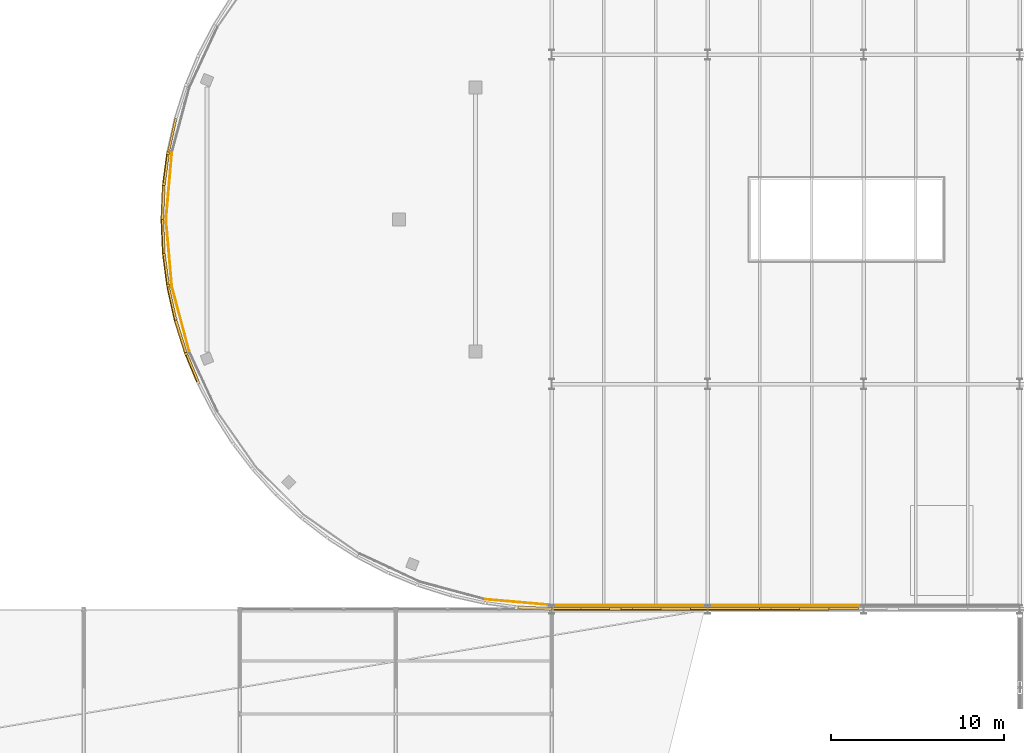
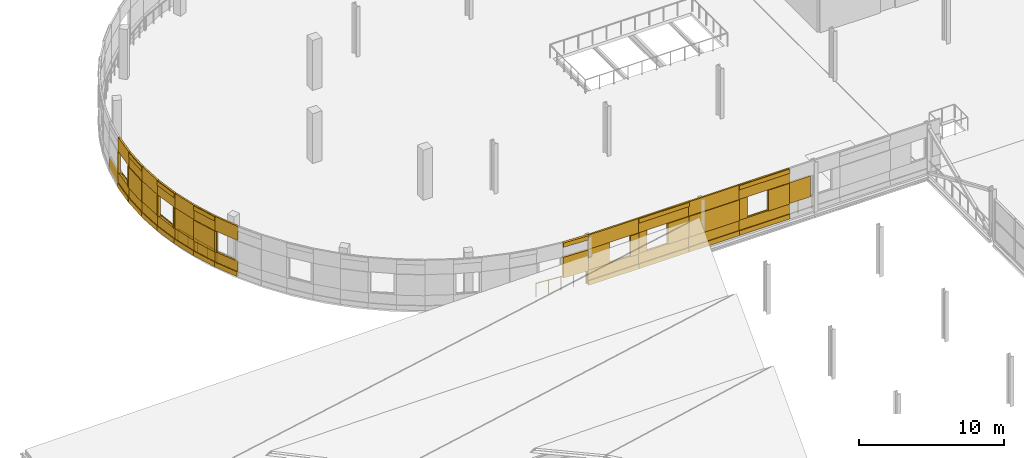
# One storey, part 92 of 103: 58 coverings, 6 railings.
"""IFC4 building model written with IfcOpenShell, lengths in metres."""

from ifc_helpers import new_model, si_unit, direction, frame, origin, origin_2d, place, context, subcontext, project, spatial, rectangle, circle, extrude, material, layer, layer_set, type_object, element, save


model = new_model("IFC4")

# Units and contexts
model_context = context("Model", 3, precision=1e-05, world=origin(), true_north=direction((0.0, 1.0)))
body_context = subcontext(model_context, "Body", "Model", "MODEL_VIEW")
ifc_project = project(units=[si_unit("LENGTHUNIT", "METRE"), si_unit("AREAUNIT", "SQUARE_METRE"), si_unit("VOLUMEUNIT", "CUBIC_METRE"), si_unit("PLANEANGLEUNIT", "RADIAN"), si_unit("MASSUNIT", "GRAM", prefix="KILO")], contexts=[model_context])

# Site, building, storey
site_placement = place(None, origin())
site = spatial("IfcSite", under=ifc_project, at=site_placement, CompositionType="ELEMENT")
building_placement = place(site_placement, origin())
building = spatial("IfcBuilding", under=site, at=building_placement, Name="Deido Ridge Mobility Hub", CompositionType="ELEMENT")
storey_placement = place(building_placement, frame((0.0, 0.0, 12.60009765625)))
storey = spatial("IfcBuildingStorey", under=building, at=storey_placement, Name="L03", CompositionType="ELEMENT", Elevation=12.60009765625)

# Coverings
ifc_material_1 = material(Name="Fired clay brick masonry", Category="masonry")
ifc_layer = layer(ifc_material_1, 0.114990234375, Name="Fired clay brick masonry")
ifc_layer_set = layer_set([ifc_layer], Name="Fired clay brick masonry")
covering_type = type_object("IfcCoveringType", Name="COV-BRK-SCREEN-115", PredefinedType="CLADDING", material=ifc_layer_set)
for number, where, z_axis, x_axis, name in (
    (1, (23.10546875, 108.35400390625, 0.0), (0.0, 0.0, 1.0), (-0.216456653485, -0.976292229387, 0.0), "Open brickwork spandrel course BKS1 (L03)"),
    (2, (22.765625, 106.42724609375, 0.0), (0.0, 0.0, 1.0), (-0.130543496177, -0.991442583111, 0.0), "Open brickwork spandrel course BKS1 (L03)"),
):
    element("IfcCovering", number, at=place(storey_placement, frame(where, z_axis=z_axis, x_axis=x_axis)), inside=storey, type_object=covering_type, Name=name, PredefinedType="CLADDING", context=body_context, shape_type="SweptSolid", body=[
        extrude(rectangle(XDim=1.9619140625, YDim=0.125, at=origin_2d()), origin(), (0.0, 0.0, 1.0), 1.25),
    ])
covering_1_placement = place(storey_placement, frame((22.73828125, 106.430908203125, 0.0), z_axis=(0.0, 0.0, 1.0), x_axis=(-0.130543496177, -0.991442583111, 0.0)))
element("IfcCovering", 3, at=covering_1_placement, inside=storey, type_object=covering_type, Name="Raised brick relief belt BKS1 (L03)", PredefinedType="CLADDING", context=body_context, shape_type="SweptSolid", body=[
    extrude(rectangle(XDim=1.9619140625, YDim=0.179931640625, at=origin_2d()), origin(), (0.0, 0.0, 1.0), 0.39990234375),
])
covering_2_placement = place(storey_placement, frame((22.765625, 106.42724609375, 3.0), z_axis=(0.0, 0.0, 1.0), x_axis=(-0.130543496177, -0.991442583111, 0.0)))
element("IfcCovering", 4, at=covering_2_placement, inside=storey, type_object=covering_type, Name="Open brickwork lintel course BKS1 (L03)", PredefinedType="CLADDING", context=body_context, shape_type="SweptSolid", body=[
    extrude(rectangle(XDim=1.9619140625, YDim=0.125, at=origin_2d()), origin(), (0.0, 0.0, 1.0), 1.199951171875),
])
for number, where, z_axis, x_axis, name in (
    (5, (22.85595703125, 107.32421875, 1.25), (0.0, 0.0, 1.0), (-0.130543496177, -0.991442583111, 0.0), "Curved brick jamb nib BKS1 (L03)"),
    (6, (22.620849609375, 105.53759765625, 1.25), (0.0, 0.0, 1.0), (-0.130543496177, -0.991442583111, 0.0), "Curved brick jamb nib BKS1 (L03)"),
):
    element("IfcCovering", number, at=place(storey_placement, frame(where, z_axis=z_axis, x_axis=x_axis)), inside=storey, type_object=covering_type, Name=name, PredefinedType="CLADDING", context=body_context, shape_type="SweptSolid", body=[
        extrude(rectangle(XDim=0.152099609375, YDim=0.179931640625, at=origin_2d()), origin(), (0.0, 0.0, 1.0), 1.75),
    ])
covering_3_placement = place(storey_placement, frame((22.59521484375, 104.478271484375, 0.0), z_axis=(0.0, 0.0, 1.0), x_axis=(-0.043601950678, -0.999048982732, 0.0)))
element("IfcCovering", 7, at=covering_3_placement, inside=storey, type_object=covering_type, Name="Open brickwork spandrel course BKS1 (L03)", PredefinedType="CLADDING", context=body_context, shape_type="SweptSolid", body=[
    extrude(rectangle(XDim=1.9619140625, YDim=0.125, at=origin_2d()), origin(), (0.0, 0.0, 1.0), 1.25),
])
covering_4_placement = place(storey_placement, frame((22.567626953125, 104.4794921875, 0.0), z_axis=(0.0, 0.0, 1.0), x_axis=(-0.043601950678, -0.999048982732, 0.0)))
element("IfcCovering", 8, at=covering_4_placement, inside=storey, type_object=covering_type, Name="Raised brick relief belt BKS1 (L03)", PredefinedType="CLADDING", context=body_context, shape_type="SweptSolid", body=[
    extrude(rectangle(XDim=1.9619140625, YDim=0.179931640625, at=origin_2d()), origin(), (0.0, 0.0, 1.0), 0.39990234375),
])
covering_5_placement = place(storey_placement, frame((22.59521484375, 104.478271484375, 3.0), z_axis=(0.0, 0.0, 1.0), x_axis=(-0.043601950678, -0.999048982732, 0.0)))
element("IfcCovering", 9, at=covering_5_placement, inside=storey, type_object=covering_type, Name="Open brickwork lintel course BKS1 (L03)", PredefinedType="CLADDING", context=body_context, shape_type="SweptSolid", body=[
    extrude(rectangle(XDim=1.9619140625, YDim=0.125, at=origin_2d()), origin(), (0.0, 0.0, 1.0), 1.199951171875),
])
covering_6_placement = place(storey_placement, frame((22.567626953125, 104.4794921875, 3.83984375), z_axis=(0.0, 0.0, 1.0), x_axis=(-0.043601950678, -0.999048982732, 0.0)))
element("IfcCovering", 10, at=covering_6_placement, inside=storey, type_object=covering_type, Name="Raised brick relief cornice BKS1 (L03)", PredefinedType="CLADDING", context=body_context, shape_type="SweptSolid", body=[
    extrude(rectangle(XDim=1.9619140625, YDim=0.179931640625, at=origin_2d()), origin(), (0.0, 0.0, 1.0), 0.360107421875),
])
covering_7_placement = place(storey_placement, frame((22.567626953125, 104.4794921875, 1.25), z_axis=(0.0, 0.0, 1.0), x_axis=(-0.043601950678, -0.999048982732, 0.0)))
element("IfcCovering", 11, at=covering_7_placement, inside=storey, type_object=covering_type, Name="Curved raised brickwork pier BKS1 (L03)", PredefinedType="CLADDING", context=body_context, shape_type="SweptSolid", body=[
    extrude(rectangle(XDim=1.9619140625, YDim=0.179931640625, at=origin_2d()), origin(), (0.0, 0.0, 1.0), 1.75),
])
covering_8_placement = place(storey_placement, frame((22.59521484375, 102.521728515625, 0.0), z_axis=(0.0, 0.0, 1.0), x_axis=(0.043601950678, -0.999048982732, 0.0)))
element("IfcCovering", 12, at=covering_8_placement, inside=storey, type_object=covering_type, Name="Open brickwork spandrel course BKS1 (L03)", PredefinedType="CLADDING", context=body_context, shape_type="SweptSolid", body=[
    extrude(rectangle(XDim=1.9619140625, YDim=0.125, at=origin_2d()), origin(), (0.0, 0.0, 1.0), 1.25),
])
covering_9_placement = place(storey_placement, frame((22.567626953125, 102.5205078125, 0.0), z_axis=(0.0, 0.0, 1.0), x_axis=(0.043601950678, -0.999048982732, 0.0)))
element("IfcCovering", 13, at=covering_9_placement, inside=storey, type_object=covering_type, Name="Raised brick relief belt BKS1 (L03)", PredefinedType="CLADDING", context=body_context, shape_type="SweptSolid", body=[
    extrude(rectangle(XDim=1.9619140625, YDim=0.179931640625, at=origin_2d()), origin(), (0.0, 0.0, 1.0), 0.39990234375),
])
covering_10_placement = place(storey_placement, frame((22.59521484375, 102.521728515625, 3.0), z_axis=(0.0, 0.0, 1.0), x_axis=(0.043601950678, -0.999048982732, 0.0)))
element("IfcCovering", 14, at=covering_10_placement, inside=storey, type_object=covering_type, Name="Open brickwork lintel course BKS1 (L03)", PredefinedType="CLADDING", context=body_context, shape_type="SweptSolid", body=[
    extrude(rectangle(XDim=1.9619140625, YDim=0.125, at=origin_2d()), origin(), (0.0, 0.0, 1.0), 1.199951171875),
])
covering_11_placement = place(storey_placement, frame((22.59521484375, 102.521728515625, 1.25), z_axis=(0.0, 0.0, 1.0), x_axis=(0.043601950678, -0.999048982732, 0.0)))
element("IfcCovering", 15, at=covering_11_placement, inside=storey, type_object=covering_type, Name="Curved raised brickwork pier BKS1 (L03)", PredefinedType="CLADDING", context=body_context, shape_type="SweptSolid", body=[
    extrude(rectangle(XDim=1.9619140625, YDim=0.125, at=origin_2d()), origin(), (0.0, 0.0, 1.0), 1.75),
])
covering_12_placement = place(storey_placement, frame((22.765625, 100.57275390625, 0.0), z_axis=(0.0, 0.0, 1.0), x_axis=(0.130543496177, -0.991442583111, 0.0)))
element("IfcCovering", 16, at=covering_12_placement, inside=storey, type_object=covering_type, Name="Open brickwork spandrel course BKS1 (L03)", PredefinedType="CLADDING", context=body_context, shape_type="SweptSolid", body=[
    extrude(rectangle(XDim=1.9619140625, YDim=0.125, at=origin_2d()), origin(), (0.0, 0.0, 1.0), 1.25),
])
covering_13_placement = place(storey_placement, frame((22.73828125, 100.569091796875, 0.0), z_axis=(0.0, 0.0, 1.0), x_axis=(0.130543496177, -0.991442583111, 0.0)))
element("IfcCovering", 17, at=covering_13_placement, inside=storey, type_object=covering_type, Name="Raised brick relief belt BKS1 (L03)", PredefinedType="CLADDING", context=body_context, shape_type="SweptSolid", body=[
    extrude(rectangle(XDim=1.9619140625, YDim=0.179931640625, at=origin_2d()), origin(), (0.0, 0.0, 1.0), 0.39990234375),
])
covering_14_placement = place(storey_placement, frame((22.765625, 100.57275390625, 3.0), z_axis=(0.0, 0.0, 1.0), x_axis=(0.130543496177, -0.991442583111, 0.0)))
element("IfcCovering", 18, at=covering_14_placement, inside=storey, type_object=covering_type, Name="Open brickwork lintel course BKS1 (L03)", PredefinedType="CLADDING", context=body_context, shape_type="SweptSolid", body=[
    extrude(rectangle(XDim=1.9619140625, YDim=0.125, at=origin_2d()), origin(), (0.0, 0.0, 1.0), 1.199951171875),
])
covering_15_placement = place(storey_placement, frame((22.73828125, 100.569091796875, 3.83984375), z_axis=(0.0, 0.0, 1.0), x_axis=(0.130543496177, -0.991442583111, 0.0)))
element("IfcCovering", 19, at=covering_15_placement, inside=storey, type_object=covering_type, Name="Raised brick relief cornice BKS1 (L03)", PredefinedType="CLADDING", context=body_context, shape_type="SweptSolid", body=[
    extrude(rectangle(XDim=1.9619140625, YDim=0.179931640625, at=origin_2d()), origin(), (0.0, 0.0, 1.0), 0.360107421875),
])
for number, where, z_axis, x_axis, name in (
    (20, (22.620849609375, 101.46240234375, 1.25), (0.0, 0.0, 1.0), (0.130543496177, -0.991442583111, 0.0), "Curved brick jamb nib BKS1 (L03)"),
    (21, (22.85595703125, 99.67578125, 1.25), (0.0, 0.0, 1.0), (0.130543496177, -0.991442583111, 0.0), "Curved brick jamb nib BKS1 (L03)"),
):
    element("IfcCovering", number, at=place(storey_placement, frame(where, z_axis=z_axis, x_axis=x_axis)), inside=storey, type_object=covering_type, Name=name, PredefinedType="CLADDING", context=body_context, shape_type="SweptSolid", body=[
        extrude(rectangle(XDim=0.152099609375, YDim=0.179931640625, at=origin_2d()), origin(), (0.0, 0.0, 1.0), 1.75),
    ])
covering_16_placement = place(storey_placement, frame((23.10546875, 98.64599609375, 0.0), z_axis=(0.0, 0.0, 1.0), x_axis=(0.216456653485, -0.976292229387, 0.0)))
element("IfcCovering", 22, at=covering_16_placement, inside=storey, type_object=covering_type, Name="Open brickwork spandrel course BKS1 (L03)", PredefinedType="CLADDING", context=body_context, shape_type="SweptSolid", body=[
    extrude(rectangle(XDim=1.9619140625, YDim=0.125, at=origin_2d()), origin(), (0.0, 0.0, 1.0), 1.25),
])
covering_17_placement = place(storey_placement, frame((23.07861328125, 98.64013671875, 0.0), z_axis=(0.0, 0.0, 1.0), x_axis=(0.216456653485, -0.976292229387, 0.0)))
element("IfcCovering", 23, at=covering_17_placement, inside=storey, type_object=covering_type, Name="Raised brick relief belt BKS1 (L03)", PredefinedType="CLADDING", context=body_context, shape_type="SweptSolid", body=[
    extrude(rectangle(XDim=1.9619140625, YDim=0.179931640625, at=origin_2d()), origin(), (0.0, 0.0, 1.0), 0.39990234375),
])
covering_18_placement = place(storey_placement, frame((23.10546875, 98.64599609375, 3.0), z_axis=(0.0, 0.0, 1.0), x_axis=(0.216456653485, -0.976292229387, 0.0)))
element("IfcCovering", 24, at=covering_18_placement, inside=storey, type_object=covering_type, Name="Open brickwork lintel course BKS1 (L03)", PredefinedType="CLADDING", context=body_context, shape_type="SweptSolid", body=[
    extrude(rectangle(XDim=1.9619140625, YDim=0.125, at=origin_2d()), origin(), (0.0, 0.0, 1.0), 1.199951171875),
])
covering_19_placement = place(storey_placement, frame((23.10546875, 98.64599609375, 1.25), z_axis=(0.0, 0.0, 1.0), x_axis=(0.216456653485, -0.976292229387, 0.0)))
element("IfcCovering", 25, at=covering_19_placement, inside=storey, type_object=covering_type, Name="Curved raised brickwork pier BKS1 (L03)", PredefinedType="CLADDING", context=body_context, shape_type="SweptSolid", body=[
    extrude(rectangle(XDim=1.9619140625, YDim=0.125, at=origin_2d()), origin(), (0.0, 0.0, 1.0), 1.75),
])
covering_20_placement = place(storey_placement, frame((23.61181640625, 96.75634765625, 0.0), z_axis=(0.0, 0.0, 1.0), x_axis=(0.300672508319, -0.95372744678, 0.0)))
element("IfcCovering", 26, at=covering_20_placement, inside=storey, type_object=covering_type, Name="Open brickwork spandrel course BKS1 (L03)", PredefinedType="CLADDING", context=body_context, shape_type="SweptSolid", body=[
    extrude(rectangle(XDim=1.9619140625, YDim=0.125, at=origin_2d()), origin(), (0.0, 0.0, 1.0), 1.25),
])
covering_21_placement = place(storey_placement, frame((23.585693359375, 96.748046875, 0.0), z_axis=(0.0, 0.0, 1.0), x_axis=(0.300672508319, -0.95372744678, 0.0)))
element("IfcCovering", 27, at=covering_21_placement, inside=storey, type_object=covering_type, Name="Raised brick relief belt BKS1 (L03)", PredefinedType="CLADDING", context=body_context, shape_type="SweptSolid", body=[
    extrude(rectangle(XDim=1.9619140625, YDim=0.179931640625, at=origin_2d()), origin(), (0.0, 0.0, 1.0), 0.39990234375),
])
covering_22_placement = place(storey_placement, frame((23.61181640625, 96.75634765625, 3.0), z_axis=(0.0, 0.0, 1.0), x_axis=(0.300672508319, -0.95372744678, 0.0)))
element("IfcCovering", 28, at=covering_22_placement, inside=storey, type_object=covering_type, Name="Open brickwork lintel course BKS1 (L03)", PredefinedType="CLADDING", context=body_context, shape_type="SweptSolid", body=[
    extrude(rectangle(XDim=1.9619140625, YDim=0.125, at=origin_2d()), origin(), (0.0, 0.0, 1.0), 1.199951171875),
])
covering_23_placement = place(storey_placement, frame((23.585693359375, 96.748046875, 3.83984375), z_axis=(0.0, 0.0, 1.0), x_axis=(0.300672508319, -0.95372744678, 0.0)))
element("IfcCovering", 29, at=covering_23_placement, inside=storey, type_object=covering_type, Name="Raised brick relief cornice BKS1 (L03)", PredefinedType="CLADDING", context=body_context, shape_type="SweptSolid", body=[
    extrude(rectangle(XDim=1.9619140625, YDim=0.179931640625, at=origin_2d()), origin(), (0.0, 0.0, 1.0), 0.360107421875),
])
covering_24_placement = place(storey_placement, frame((23.585693359375, 96.748046875, 1.25), z_axis=(0.0, 0.0, 1.0), x_axis=(0.300672508319, -0.95372744678, 0.0)))
element("IfcCovering", 30, at=covering_24_placement, inside=storey, type_object=covering_type, Name="Curved raised brickwork pier BKS1 (L03)", PredefinedType="CLADDING", context=body_context, shape_type="SweptSolid", body=[
    extrude(rectangle(XDim=1.9619140625, YDim=0.179931640625, at=origin_2d()), origin(), (0.0, 0.0, 1.0), 1.75),
])
covering_25_placement = place(storey_placement, frame((24.281005859375, 94.91796875, 0.0), z_axis=(0.0, 0.0, 1.0), x_axis=(0.382699557047, -0.923872853285, 0.0)))
element("IfcCovering", 31, at=covering_25_placement, inside=storey, type_object=covering_type, Name="Open brickwork spandrel course BKS1 (L03)", PredefinedType="CLADDING", context=body_context, shape_type="SweptSolid", body=[
    extrude(rectangle(XDim=1.9619140625, YDim=0.125, at=origin_2d()), origin(), (0.0, 0.0, 1.0), 1.25),
])
covering_26_placement = place(storey_placement, frame((24.255615234375, 94.9072265625, 0.0), z_axis=(0.0, 0.0, 1.0), x_axis=(0.382699557047, -0.923872853285, 0.0)))
element("IfcCovering", 32, at=covering_26_placement, inside=storey, type_object=covering_type, Name="Raised brick relief belt BKS1 (L03)", PredefinedType="CLADDING", context=body_context, shape_type="SweptSolid", body=[
    extrude(rectangle(XDim=1.9619140625, YDim=0.179931640625, at=origin_2d()), origin(), (0.0, 0.0, 1.0), 0.39990234375),
])
covering_27_placement = place(storey_placement, frame((24.281005859375, 94.91796875, 3.0), z_axis=(0.0, 0.0, 1.0), x_axis=(0.382699557047, -0.923872853285, 0.0)))
element("IfcCovering", 33, at=covering_27_placement, inside=storey, type_object=covering_type, Name="Open brickwork lintel course BKS1 (L03)", PredefinedType="CLADDING", context=body_context, shape_type="SweptSolid", body=[
    extrude(rectangle(XDim=1.9619140625, YDim=0.125, at=origin_2d()), origin(), (0.0, 0.0, 1.0), 1.199951171875),
])
covering_28_placement = place(storey_placement, frame((23.91064453125, 95.73974609375, 1.25), z_axis=(0.0, 0.0, 1.0), x_axis=(0.382699557047, -0.923872853285, 0.0)))
element("IfcCovering", 34, at=covering_28_placement, inside=storey, type_object=covering_type, Name="Curved brick jamb nib BKS1 (L03)", PredefinedType="CLADDING", context=body_context, shape_type="SweptSolid", body=[
    extrude(rectangle(XDim=0.152099609375, YDim=0.179931640625, at=origin_2d()), origin(), (0.0, 0.0, 1.0), 1.75),
])
covering_29_placement = place(storey_placement, frame((44.0205078125, 81.067626953125, 3.83984375), z_axis=(0.0, 0.0, 1.0), x_axis=(0.999048982732, -0.043601950678, 0.0)))
element("IfcCovering", 35, at=covering_29_placement, inside=storey, type_object=covering_type, Name="Raised brick relief cornice BKS1 (L03)", PredefinedType="CLADDING", context=body_context, shape_type="SweptSolid", body=[
    extrude(rectangle(XDim=1.9619140625, YDim=0.179931640625, at=origin_2d()), origin(), (0.0, 0.0, 1.0), 0.360107421875),
])
covering_30_placement = place(storey_placement, frame((44.0205078125, 81.067626953125, 1.25), z_axis=(0.0, 0.0, 1.0), x_axis=(0.999048982732, -0.043601950678, 0.0)))
element("IfcCovering", 36, at=covering_30_placement, inside=storey, type_object=covering_type, Name="Curved raised brickwork pier BKS1 (L03)", PredefinedType="CLADDING", context=body_context, shape_type="SweptSolid", body=[
    extrude(rectangle(XDim=1.9619140625, YDim=0.179931640625, at=origin_2d()), origin(), (0.0, 0.0, 1.0), 1.75),
])
covering_31_placement = place(storey_placement, frame((47.0, 81.052490234375, 0.0), z_axis=(0.0, 0.0, 1.0), x_axis=(1.0, 0.0, 0.0)))
element("IfcCovering", 37, at=covering_31_placement, inside=storey, type_object=covering_type, Name="Open brickwork spandrel course BKS1 (L03)", PredefinedType="CLADDING", context=body_context, shape_type="SweptSolid", body=[
    extrude(rectangle(XDim=4.01611328125, YDim=0.125, at=origin_2d()), origin(), (0.0, 0.0, 1.0), 1.25),
])
covering_32_placement = place(storey_placement, frame((47.0, 81.02490234375, 0.0), z_axis=(0.0, 0.0, 1.0), x_axis=(1.0, 0.0, 0.0)))
element("IfcCovering", 38, at=covering_32_placement, inside=storey, type_object=covering_type, Name="Raised brick relief belt BKS1 (L03)", PredefinedType="CLADDING", context=body_context, shape_type="SweptSolid", body=[
    extrude(rectangle(XDim=4.01611328125, YDim=0.179931640625, at=origin_2d()), origin(), (0.0, 0.0, 1.0), 0.39990234375),
])
covering_33_placement = place(storey_placement, frame((47.0, 81.052490234375, 3.0), z_axis=(0.0, 0.0, 1.0), x_axis=(1.0, 0.0, 0.0)))
element("IfcCovering", 39, at=covering_33_placement, inside=storey, type_object=covering_type, Name="Open brickwork lintel course BKS1 (L03)", PredefinedType="CLADDING", context=body_context, shape_type="SweptSolid", body=[
    extrude(rectangle(XDim=4.01611328125, YDim=0.125, at=origin_2d()), origin(), (0.0, 0.0, 1.0), 1.199951171875),
])
covering_34_placement = place(storey_placement, frame((45.847412109375, 81.052490234375, 1.25), z_axis=(0.0, 0.0, 1.0), x_axis=(1.0, 0.0, 0.0)))
element("IfcCovering", 40, at=covering_34_placement, inside=storey, type_object=covering_type, Name="Open brickwork pier BKS1 (L03)", PredefinedType="CLADDING", context=body_context, shape_type="SweptSolid", body=[
    extrude(rectangle(XDim=1.695068359375, YDim=0.125, at=origin_2d()), origin(), (0.0, 0.0, 1.0), 1.75),
])
covering_35_placement = place(storey_placement, frame((48.672607421875, 81.02490234375, 1.25), z_axis=(0.0, 0.0, 1.0), x_axis=(1.0, 0.0, 0.0)))
element("IfcCovering", 41, at=covering_35_placement, inside=storey, type_object=covering_type, Name="Open brickwork pier BKS1 (L03)", PredefinedType="CLADDING", context=body_context, shape_type="SweptSolid", body=[
    extrude(rectangle(XDim=0.655029296875, YDim=0.179931640625, at=origin_2d()), origin(), (0.0, 0.0, 1.0), 1.75),
])
covering_36_placement = place(storey_placement, frame((51.0, 81.052490234375, 0.0), z_axis=(0.0, 0.0, 1.0), x_axis=(1.0, 0.0, 0.0)))
element("IfcCovering", 42, at=covering_36_placement, inside=storey, type_object=covering_type, Name="Open brickwork spandrel course BKS1 (L03)", PredefinedType="CLADDING", context=body_context, shape_type="SweptSolid", body=[
    extrude(rectangle(XDim=4.01611328125, YDim=0.125, at=origin_2d()), origin(), (0.0, 0.0, 1.0), 1.25),
])
covering_37_placement = place(storey_placement, frame((51.0, 81.02490234375, 0.0), z_axis=(0.0, 0.0, 1.0), x_axis=(1.0, 0.0, 0.0)))
element("IfcCovering", 43, at=covering_37_placement, inside=storey, type_object=covering_type, Name="Raised brick relief belt BKS1 (L03)", PredefinedType="CLADDING", context=body_context, shape_type="SweptSolid", body=[
    extrude(rectangle(XDim=4.01611328125, YDim=0.179931640625, at=origin_2d()), origin(), (0.0, 0.0, 1.0), 0.39990234375),
])
covering_38_placement = place(storey_placement, frame((51.0, 81.052490234375, 3.0), z_axis=(0.0, 0.0, 1.0), x_axis=(1.0, 0.0, 0.0)))
element("IfcCovering", 44, at=covering_38_placement, inside=storey, type_object=covering_type, Name="Open brickwork lintel course BKS1 (L03)", PredefinedType="CLADDING", context=body_context, shape_type="SweptSolid", body=[
    extrude(rectangle(XDim=4.01611328125, YDim=0.125, at=origin_2d()), origin(), (0.0, 0.0, 1.0), 1.199951171875),
])
covering_39_placement = place(storey_placement, frame((51.0, 81.02490234375, 3.83984375), z_axis=(0.0, 0.0, 1.0), x_axis=(1.0, 0.0, 0.0)))
element("IfcCovering", 45, at=covering_39_placement, inside=storey, type_object=covering_type, Name="Raised brick relief cornice BKS1 (L03)", PredefinedType="CLADDING", context=body_context, shape_type="SweptSolid", body=[
    extrude(rectangle(XDim=4.01611328125, YDim=0.179931640625, at=origin_2d()), origin(), (0.0, 0.0, 1.0), 0.360107421875),
])
covering_40_placement = place(storey_placement, frame((49.327392578125, 81.052490234375, 1.25), z_axis=(0.0, 0.0, 1.0), x_axis=(1.0, 0.0, 0.0)))
element("IfcCovering", 46, at=covering_40_placement, inside=storey, type_object=covering_type, Name="Open brickwork pier BKS1 (L03)", PredefinedType="CLADDING", context=body_context, shape_type="SweptSolid", body=[
    extrude(rectangle(XDim=0.655029296875, YDim=0.125, at=origin_2d()), origin(), (0.0, 0.0, 1.0), 1.75),
])
covering_41_placement = place(storey_placement, frame((52.152587890625, 81.02490234375, 1.25), z_axis=(0.0, 0.0, 1.0), x_axis=(1.0, 0.0, 0.0)))
element("IfcCovering", 47, at=covering_41_placement, inside=storey, type_object=covering_type, Name="Open brickwork pier BKS1 (L03)", PredefinedType="CLADDING", context=body_context, shape_type="SweptSolid", body=[
    extrude(rectangle(XDim=1.695068359375, YDim=0.179931640625, at=origin_2d()), origin(), (0.0, 0.0, 1.0), 1.75),
])
covering_42_placement = place(storey_placement, frame((55.0, 81.052490234375, 0.0), z_axis=(0.0, 0.0, 1.0), x_axis=(1.0, 0.0, 0.0)))
element("IfcCovering", 48, at=covering_42_placement, inside=storey, type_object=covering_type, Name="Open brickwork spandrel course BKS1 (L03)", PredefinedType="CLADDING", context=body_context, shape_type="SweptSolid", body=[
    extrude(rectangle(XDim=4.01611328125, YDim=0.125, at=origin_2d()), origin(), (0.0, 0.0, 1.0), 1.25),
])
covering_43_placement = place(storey_placement, frame((55.0, 81.02490234375, 0.0), z_axis=(0.0, 0.0, 1.0), x_axis=(1.0, 0.0, 0.0)))
element("IfcCovering", 49, at=covering_43_placement, inside=storey, type_object=covering_type, Name="Raised brick relief belt BKS1 (L03)", PredefinedType="CLADDING", context=body_context, shape_type="SweptSolid", body=[
    extrude(rectangle(XDim=4.01611328125, YDim=0.179931640625, at=origin_2d()), origin(), (0.0, 0.0, 1.0), 0.39990234375),
])
covering_44_placement = place(storey_placement, frame((55.0, 81.052490234375, 3.0), z_axis=(0.0, 0.0, 1.0), x_axis=(1.0, 0.0, 0.0)))
element("IfcCovering", 50, at=covering_44_placement, inside=storey, type_object=covering_type, Name="Open brickwork lintel course BKS1 (L03)", PredefinedType="CLADDING", context=body_context, shape_type="SweptSolid", body=[
    extrude(rectangle(XDim=4.01611328125, YDim=0.125, at=origin_2d()), origin(), (0.0, 0.0, 1.0), 1.199951171875),
])
covering_45_placement = place(storey_placement, frame((55.0, 81.02490234375, 1.25), z_axis=(0.0, 0.0, 1.0), x_axis=(1.0, 0.0, 0.0)))
element("IfcCovering", 51, at=covering_45_placement, inside=storey, type_object=covering_type, Name="Raised brick relief panel BKS1 (L03)", PredefinedType="CLADDING", context=body_context, shape_type="SweptSolid", body=[
    extrude(rectangle(XDim=4.008056640625, YDim=0.179931640625, at=origin_2d()), origin(), (0.0, 0.0, 1.0), 1.75),
])
covering_46_placement = place(storey_placement, frame((59.0, 81.052490234375, 0.0), z_axis=(0.0, 0.0, 1.0), x_axis=(1.0, 0.0, 0.0)))
element("IfcCovering", 52, at=covering_46_placement, inside=storey, type_object=covering_type, Name="Open brickwork spandrel course BKS1 (L03)", PredefinedType="CLADDING", context=body_context, shape_type="SweptSolid", body=[
    extrude(rectangle(XDim=4.01611328125, YDim=0.125, at=origin_2d()), origin(), (0.0, 0.0, 1.0), 1.25),
])
covering_47_placement = place(storey_placement, frame((59.0, 81.02490234375, 0.0), z_axis=(0.0, 0.0, 1.0), x_axis=(1.0, 0.0, 0.0)))
element("IfcCovering", 53, at=covering_47_placement, inside=storey, type_object=covering_type, Name="Raised brick relief belt BKS1 (L03)", PredefinedType="CLADDING", context=body_context, shape_type="SweptSolid", body=[
    extrude(rectangle(XDim=4.01611328125, YDim=0.179931640625, at=origin_2d()), origin(), (0.0, 0.0, 1.0), 0.39990234375),
])
covering_48_placement = place(storey_placement, frame((59.0, 81.052490234375, 3.0), z_axis=(0.0, 0.0, 1.0), x_axis=(1.0, 0.0, 0.0)))
element("IfcCovering", 54, at=covering_48_placement, inside=storey, type_object=covering_type, Name="Open brickwork lintel course BKS1 (L03)", PredefinedType="CLADDING", context=body_context, shape_type="SweptSolid", body=[
    extrude(rectangle(XDim=4.01611328125, YDim=0.125, at=origin_2d()), origin(), (0.0, 0.0, 1.0), 1.199951171875),
])
covering_49_placement = place(storey_placement, frame((59.0, 81.02490234375, 3.83984375), z_axis=(0.0, 0.0, 1.0), x_axis=(1.0, 0.0, 0.0)))
element("IfcCovering", 55, at=covering_49_placement, inside=storey, type_object=covering_type, Name="Raised brick relief cornice BKS1 (L03)", PredefinedType="CLADDING", context=body_context, shape_type="SweptSolid", body=[
    extrude(rectangle(XDim=4.01611328125, YDim=0.179931640625, at=origin_2d()), origin(), (0.0, 0.0, 1.0), 0.360107421875),
])
covering_50_placement = place(storey_placement, frame((57.327392578125, 81.052490234375, 1.25), z_axis=(0.0, 0.0, 1.0), x_axis=(1.0, 0.0, 0.0)))
element("IfcCovering", 56, at=covering_50_placement, inside=storey, type_object=covering_type, Name="Open brickwork pier BKS1 (L03)", PredefinedType="CLADDING", context=body_context, shape_type="SweptSolid", body=[
    extrude(rectangle(XDim=0.655029296875, YDim=0.125, at=origin_2d()), origin(), (0.0, 0.0, 1.0), 1.75),
])
covering_51_placement = place(storey_placement, frame((60.152587890625, 81.02490234375, 1.25), z_axis=(0.0, 0.0, 1.0), x_axis=(1.0, 0.0, 0.0)))
element("IfcCovering", 57, at=covering_51_placement, inside=storey, type_object=covering_type, Name="Open brickwork pier BKS1 (L03)", PredefinedType="CLADDING", context=body_context, shape_type="SweptSolid", body=[
    extrude(rectangle(XDim=1.695068359375, YDim=0.179931640625, at=origin_2d()), origin(), (0.0, 0.0, 1.0), 1.75),
])
covering_52_placement = place(storey_placement, frame((61.847412109375, 81.052490234375, 1.25), z_axis=(0.0, 0.0, 1.0), x_axis=(1.0, 0.0, 0.0)))
element("IfcCovering", 58, at=covering_52_placement, inside=storey, type_object=covering_type, Name="Open brickwork pier BKS1 (L03)", PredefinedType="CLADDING", context=body_context, shape_type="SweptSolid", body=[
    extrude(rectangle(XDim=1.695068359375, YDim=0.125, at=origin_2d()), origin(), (0.0, 0.0, 1.0), 1.75),
])

# Railings
ifc_material_2 = material(Name="Galvanised steel work", Category="steel")
railing_type = type_object("IfcRailingType", Name="RL-GRD-EXT-1150", PredefinedType="GUARDRAIL", material=ifc_material_2)
railing_1_placement = place(storey_placement, frame((23.08447265625, 107.323974609375, 0.0)))
element("IfcRailing", 59, at=railing_1_placement, inside=storey, type_object=railing_type, Name="Parking drum perimeter guard (L03)", PredefinedType="GUARDRAIL", context=body_context, shape_type="SweptSolid", body=[
    extrude(circle(Radius=0.02392578125, at=origin_2d()), frame((0.0, 0.0, 1.1259765625), z_axis=(-0.08715100469, -0.996195112607, 0.0), x_axis=(0.996195112607, -0.08715100469, 0.0)), (0.0, 0.0, 1.0), 3.798583984375),
    extrude(circle(Radius=0.02099609375, at=origin_2d()), origin(), (0.0, 0.0, 1.0), 1.101806640625),
    extrude(circle(Radius=0.02099609375, at=origin_2d()), frame((-0.082763671875, -0.946044921875, 0.0)), (0.0, 0.0, 1.0), 1.101806640625),
    extrude(circle(Radius=0.02099609375, at=origin_2d()), frame((-0.16552734375, -1.89208984375, 0.0)), (0.0, 0.0, 1.0), 1.101806640625),
    extrude(circle(Radius=0.02099609375, at=origin_2d()), frame((-0.248291015625, -2.838134765625, 0.0)), (0.0, 0.0, 1.0), 1.101806640625),
    extrude(circle(Radius=0.02099609375, at=origin_2d()), frame((-0.3310546875, -3.7841796875, 0.0)), (0.0, 0.0, 1.0), 1.101806640625),
])
railing_2_placement = place(storey_placement, frame((22.75341796875, 103.460205078125, 0.0)))
element("IfcRailing", 60, at=railing_2_placement, inside=storey, type_object=railing_type, Name="Parking drum perimeter guard (L03)", PredefinedType="GUARDRAIL", context=body_context, shape_type="SweptSolid", body=[
    extrude(circle(Radius=0.02392578125, at=origin_2d()), frame((0.0, 0.0, 1.1259765625), z_axis=(0.08715100469, -0.996195112607, 0.0), x_axis=(0.996195112607, 0.08715100469, 0.0)), (0.0, 0.0, 1.0), 3.798583984375),
    extrude(circle(Radius=0.02099609375, at=origin_2d()), origin(), (0.0, 0.0, 1.0), 1.101806640625),
    extrude(circle(Radius=0.02099609375, at=origin_2d()), frame((0.082763671875, -0.946044921875, 0.0)), (0.0, 0.0, 1.0), 1.101806640625),
    extrude(circle(Radius=0.02099609375, at=origin_2d()), frame((0.16552734375, -1.89208984375, 0.0)), (0.0, 0.0, 1.0), 1.101806640625),
    extrude(circle(Radius=0.02099609375, at=origin_2d()), frame((0.248291015625, -2.838134765625, 0.0)), (0.0, 0.0, 1.0), 1.101806640625),
    extrude(circle(Radius=0.02099609375, at=origin_2d()), frame((0.3310546875, -3.7841796875, 0.0)), (0.0, 0.0, 1.0), 1.101806640625),
])
railing_3_placement = place(storey_placement, frame((23.098388671875, 99.59765625, 0.0)))
element("IfcRailing", 61, at=railing_3_placement, inside=storey, type_object=railing_type, Name="Parking drum perimeter guard (L03)", PredefinedType="GUARDRAIL", context=body_context, shape_type="SweptSolid", body=[
    extrude(circle(Radius=0.02392578125, at=origin_2d()), frame((0.0, 0.0, 1.1259765625), z_axis=(0.258774639064, -0.965937723757, 0.0), x_axis=(0.965937723757, 0.258774639064, 0.0)), (0.0, 0.0, 1.0), 3.79833984375),
    extrude(circle(Radius=0.02099609375, at=origin_2d()), origin(), (0.0, 0.0, 1.0), 1.101806640625),
    extrude(circle(Radius=0.02099609375, at=origin_2d()), frame((0.24560546875, -0.917236328125, 0.0)), (0.0, 0.0, 1.0), 1.101806640625),
    extrude(circle(Radius=0.02099609375, at=origin_2d()), frame((0.491455078125, -1.83447265625, 0.0)), (0.0, 0.0, 1.0), 1.101806640625),
    extrude(circle(Radius=0.02099609375, at=origin_2d()), frame((0.7373046875, -2.751708984375, 0.0)), (0.0, 0.0, 1.0), 1.101806640625),
    extrude(circle(Radius=0.02099609375, at=origin_2d()), frame((0.98291015625, -3.6689453125, 0.0)), (0.0, 0.0, 1.0), 1.101806640625),
])
railing_4_placement = place(storey_placement, frame((41.176025390625, 81.58447265625, 0.0)))
element("IfcRailing", 62, at=railing_4_placement, inside=storey, type_object=railing_type, Name="Parking drum perimeter guard (L03)", PredefinedType="GUARDRAIL", context=body_context, shape_type="SweptSolid", body=[
    extrude(circle(Radius=0.02392578125, at=origin_2d()), frame((0.0, 0.0, 1.1259765625), z_axis=(0.996195112607, -0.08715100469, 0.0), x_axis=(0.08715100469, 0.996195112607, 0.0)), (0.0, 0.0, 1.0), 3.798583984375),
    extrude(circle(Radius=0.02099609375, at=origin_2d()), origin(), (0.0, 0.0, 1.0), 1.101806640625),
    extrude(circle(Radius=0.02099609375, at=origin_2d()), frame((0.946044921875, -0.082763671875, 0.0)), (0.0, 0.0, 1.0), 1.101806640625),
    extrude(circle(Radius=0.02099609375, at=origin_2d()), frame((1.89208984375, -0.16552734375, 0.0)), (0.0, 0.0, 1.0), 1.101806640625),
    extrude(circle(Radius=0.02099609375, at=origin_2d()), frame((2.838134765625, -0.248291015625, 0.0)), (0.0, 0.0, 1.0), 1.101806640625),
    extrude(circle(Radius=0.02099609375, at=origin_2d()), frame((3.7841796875, -0.3310546875, 0.0)), (0.0, 0.0, 1.0), 1.101806640625),
])
for number, where, name in (
    (63, (45.0400390625, 81.25, 0.0), "Parking drum perimeter guard (L03)"),
    (64, (54.0400390625, 81.25, 0.0), "Parking drum perimeter guard (L03)"),
):
    element("IfcRailing", number, at=place(storey_placement, frame(where)), inside=storey, type_object=railing_type, Name=name, PredefinedType="GUARDRAIL", context=body_context, shape_type="SweptSolid", body=[
        extrude(circle(Radius=0.02392578125, at=origin_2d()), frame((0.0, 0.0, 1.1259765625), z_axis=(1.0, 0.0, 0.0), x_axis=(0.0, 1.0, 0.0)), (0.0, 0.0, 1.0), 8.919921875),
        extrude(circle(Radius=0.02099609375, at=origin_2d()), origin(), (0.0, 0.0, 1.0), 1.101806640625),
        extrude(circle(Radius=0.02099609375, at=origin_2d()), frame((1.114990234375, 0.0, 0.0)), (0.0, 0.0, 1.0), 1.101806640625),
        extrude(circle(Radius=0.02099609375, at=origin_2d()), frame((2.22998046875, 0.0, 0.0)), (0.0, 0.0, 1.0), 1.101806640625),
        extrude(circle(Radius=0.02099609375, at=origin_2d()), frame((3.344970703125, 0.0, 0.0)), (0.0, 0.0, 1.0), 1.101806640625),
        extrude(circle(Radius=0.02099609375, at=origin_2d()), frame((4.4599609375, 0.0, 0.0)), (0.0, 0.0, 1.0), 1.101806640625),
        extrude(circle(Radius=0.02099609375, at=origin_2d()), frame((5.574951171875, 0.0, 0.0)), (0.0, 0.0, 1.0), 1.101806640625),
        extrude(circle(Radius=0.02099609375, at=origin_2d()), frame((6.68994140625, 0.0, 0.0)), (0.0, 0.0, 1.0), 1.101806640625),
        extrude(circle(Radius=0.02099609375, at=origin_2d()), frame((7.804931640625, 0.0, 0.0)), (0.0, 0.0, 1.0), 1.101806640625),
        extrude(circle(Radius=0.02099609375, at=origin_2d()), frame((8.919921875, 0.0, 0.0)), (0.0, 0.0, 1.0), 1.101806640625),
    ])

save(model, "model.ifc")
